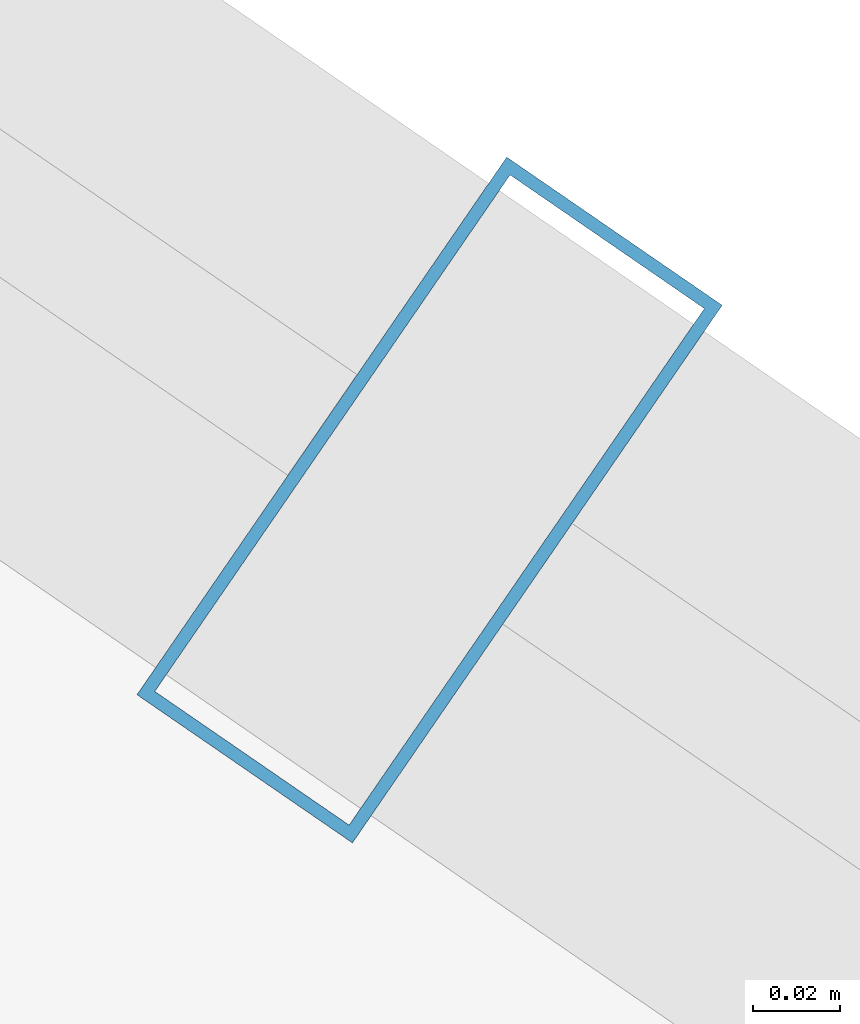
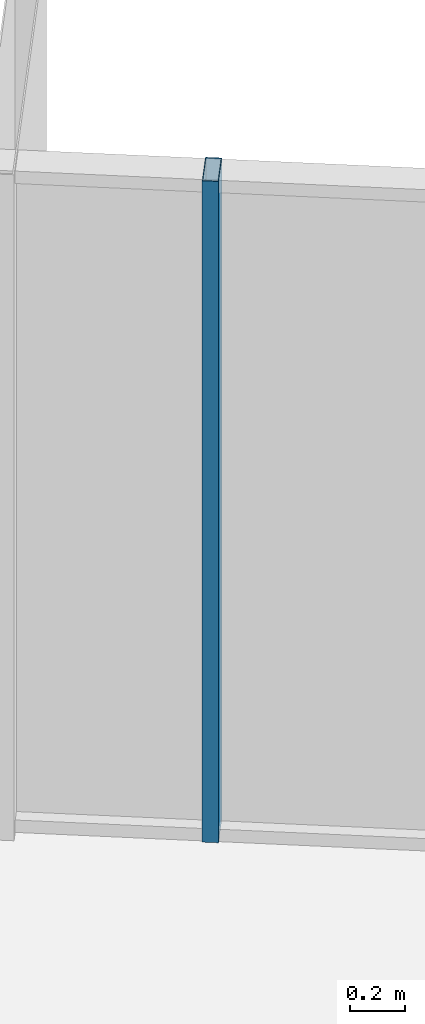
# One storey, part 14 of 29: 1 member, 1 element without a shape of its own.
"""IFC4 building model written with IfcOpenShell, lengths in metres."""

from ifc_helpers import new_model, si_unit, direction, frame, origin, origin_2d, place, context, subcontext, project, spatial, hollow_rectangle, extrude, source, transform, mapped, material, layer, layer_set, material_profile, profile_set, type_object, element, aggregate, save


model = new_model("IFC4")

# Units and contexts
model_context = context("Model", 3, precision=1e-05, world=origin(), true_north=direction((0.0, 1.0)))
body_context = subcontext(model_context, "Body", "Model", "MODEL_VIEW")
ifc_project = project(units=[si_unit("LENGTHUNIT", "METRE"), si_unit("AREAUNIT", "SQUARE_METRE"), si_unit("VOLUMEUNIT", "CUBIC_METRE"), si_unit("PLANEANGLEUNIT", "RADIAN"), si_unit("MASSUNIT", "GRAM", prefix="KILO")], contexts=[model_context])

# Site, building, storey
site_placement = place(None, origin())
site = spatial("IfcSite", under=ifc_project, at=site_placement, CompositionType="ELEMENT")
building_placement = place(site_placement, origin())
building = spatial("IfcBuilding", under=site, at=building_placement, Name="Veraguas Prism Commons", CompositionType="ELEMENT")
storey_placement = place(building_placement, frame((0.0, 0.0, 222.14990234375)))
storey = spatial("IfcBuildingStorey", under=building, at=storey_placement, Name="L63", CompositionType="ELEMENT", Elevation=222.14990234375)

# Curtain wall, member
ifc_material = material(Name="Anodised aluminium EN AW-6063 T6", Category="aluminium")
ifc_layer = layer(ifc_material, 0.14990234375, Name="Unitised Flush Curtain Wall Zone 3", Category="aluminium")
ifc_layer_set = layer_set([ifc_layer], Name="Anodised aluminium EN AW-6063 T6")
curtain_wall_type = type_object("IfcCurtainWallType", Name="Unitised Flush Curtain Wall Zone 3", PredefinedType="NOTDEFINED", material=ifc_layer_set)
curtain_wall_placement = place(storey_placement, origin())
curtain_wall = element("IfcCurtainWall", 1, at=curtain_wall_placement, inside=storey, type_object=curtain_wall_type, Name="Tower Facade Curtain Wall L63-F1", PredefinedType="NOTDEFINED")
ifc_material_profile = material_profile(ifc_material, hollow_rectangle(XDim=0.06005859375, YDim=0.14990234375, WallThickness=0.0029296875, at=origin_2d()), Name="AL60X150X3")
ifc_profile_set = profile_set([ifc_material_profile], Name="Anodised aluminium EN AW-6063 T6")
member_type = type_object("IfcMemberType", Name="Curtain Wall Mullion Upper AL 60x150x3", PredefinedType="MULLION", material=ifc_profile_set)
shared_shape = source(origin(), body_context, "Body", "SweptSolid", [
    extrude(hollow_rectangle(XDim=0.06005859375, YDim=0.14990234375, WallThickness=0.0029296875, at=origin_2d()), origin(), (0.0, 0.0, 1.0), 2.93017578125),
])
member_placement = place(storey_placement, frame((37.311767578125, 36.3388671875, 0.0), z_axis=(0.0, 0.0, 1.0), x_axis=(-0.823926447203, 0.56669675277, 0.0)))
member = element("IfcMember", 2, at=member_placement, type_object=member_type, Name="CW-Z3 Mullion 2", PredefinedType="MULLION", context=body_context, shape_type="MappedRepresentation", body=[
    mapped(shared_shape, transform((0.0, 0.0, 0.0), scale=1.0)),
])
aggregate(curtain_wall, [member])

save(model, "model.ifc")
